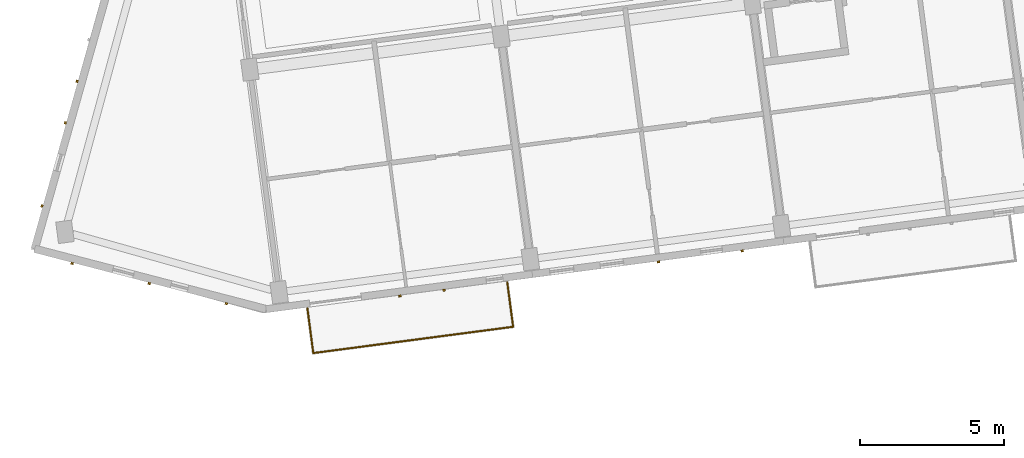
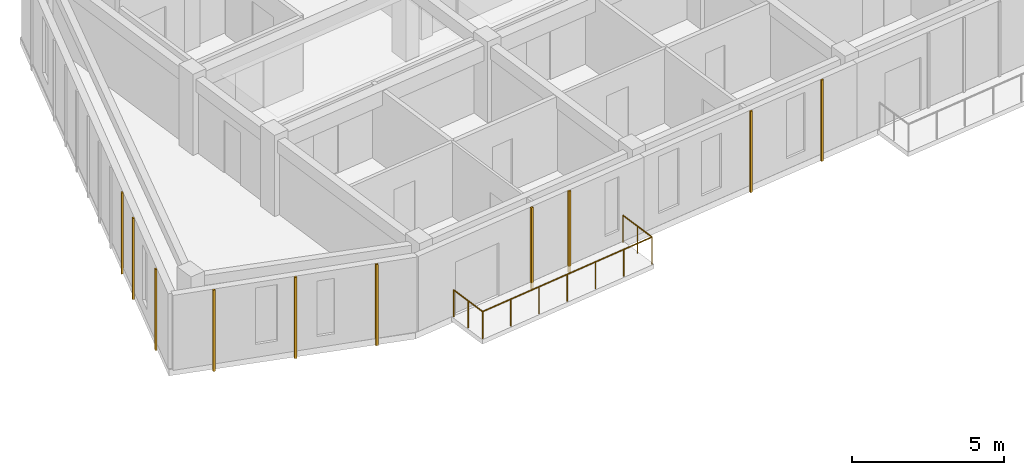
# One storey, part 104 of 127: 10 coverings, 1 railing.
"""IFC4 building model written with IfcOpenShell, lengths in metres."""

from ifc_helpers import new_model, si_unit, direction, frame, origin, origin_2d, place, context, subcontext, project, spatial, rectangle, circle, extrude, material, layer, layer_set, type_object, element, save


model = new_model("IFC4")

# Units and contexts
model_context = context("Model", 3, precision=1e-05, world=origin(), true_north=direction((0.0, 1.0)))
body_context = subcontext(model_context, "Body", "Model", "MODEL_VIEW")
ifc_project = project(units=[si_unit("LENGTHUNIT", "METRE"), si_unit("AREAUNIT", "SQUARE_METRE"), si_unit("VOLUMEUNIT", "CUBIC_METRE"), si_unit("PLANEANGLEUNIT", "RADIAN"), si_unit("MASSUNIT", "GRAM", prefix="KILO")], contexts=[model_context])

# Site, building, storey
site_placement = place(None, origin())
site = spatial("IfcSite", under=ifc_project, at=site_placement, CompositionType="ELEMENT")
building_placement = place(site_placement, origin())
building = spatial("IfcBuilding", under=site, at=building_placement, Name="Kestramere Prow Commons", CompositionType="ELEMENT")
storey_placement = place(building_placement, frame((0.0, 0.0, 8.39990234375)))
storey = spatial("IfcBuildingStorey", under=building, at=storey_placement, Name="L02", CompositionType="ELEMENT", Elevation=8.39990234375)

# Coverings
ifc_material_1 = material(Name="Weathered Zinc-Titanium Standing-Seam Cladding")
ifc_layer = layer(ifc_material_1, 0.074951171875)
ifc_layer_set = layer_set([ifc_layer], Name="Weathered Zinc-Titanium Standing-Seam Cladding")
covering_type = type_object("IfcCoveringType", Name="COV-CLAD-SEAM", PredefinedType="CLADDING", material=ifc_layer_set)
for number, where, z_axis, x_axis, name in (
    (1, (16.931396484375, 72.0712890625, -0.25), (0.0, 0.0, 1.0), (-0.991444861374, -0.13052619222, 0.0), "EW-A-L02-S-0 Standing-Seam Rib 2"),
    (2, (15.390625, 71.868408203125, -0.25), (0.0, 0.0, 1.0), (-0.991444861374, -0.13052619222, 0.0), "EW-A-L02-S-0 Standing-Seam Rib 3"),
    (3, (27.28369140625, 73.43408203125, -0.25), (0.0, 0.0, 1.0), (-0.991444861374, -0.13052619222, 0.0), "EW-A-L02-S-1 Standing-Seam Rib 1"),
    (4, (24.37548828125, 73.05126953125, -0.25), (0.0, 0.0, 1.0), (-0.991444861374, -0.13052619222, 0.0), "EW-A-L02-S-1 Standing-Seam Rib 3"),
    (5, (9.367431640625, 71.602783203125, -0.25), (0.0, 0.0, 1.0), (-0.96769817096, 0.252111582281, 0.0), "EW-A-L02-PRW-S Standing-Seam Rib 1"),
    (6, (6.6884765625, 72.300537109375, -0.25), (0.0, 0.0, 1.0), (-0.96769817096, 0.252111582281, 0.0), "EW-A-L02-PRW-S Standing-Seam Rib 3"),
    (7, (4.009521484375, 72.99853515625, -0.25), (0.0, 0.0, 1.0), (-0.96769817096, 0.252111582281, 0.0), "EW-A-L02-PRW-S Standing-Seam Rib 5"),
    (8, (2.96142578125, 74.9931640625, -0.25), (0.0, 0.0, 1.0), (0.271159911526, 0.962534312314, 0.0), "EW-A-L02-PRW-N Standing-Seam Rib 1"),
    (9, (3.775146484375, 77.8818359375, -0.25), (0.0, 0.0, 1.0), (0.271159911526, 0.962534312314, 0.0), "EW-A-L02-PRW-N Standing-Seam Rib 3"),
    (10, (4.18212890625, 79.326171875, -0.25), (0.0, 0.0, 1.0), (0.271159911526, 0.962534312314, 0.0), "EW-A-L02-PRW-N Standing-Seam Rib 4"),
):
    element("IfcCovering", number, at=place(storey_placement, frame(where, z_axis=z_axis, x_axis=x_axis)), inside=storey, type_object=covering_type, Name=name, PredefinedType="CLADDING", context=body_context, shape_type="SweptSolid", body=[
        extrude(rectangle(XDim=0.0849609375, YDim=0.06494140625, at=origin_2d()), origin(), (0.0, 0.0, 1.0), 3.25),
    ])

# Railing
ifc_material_2 = material(Name="Powder-Coated Aluminium 6063-T6", Category="aluminium")
railing_type = type_object("IfcRailingType", Name="GRD-BALC-1100", PredefinedType="BALUSTRADE", material=ifc_material_2)
railing_placement = place(storey_placement, frame((12.182373046875, 71.433349609375, 0.0)))
element("IfcRailing", 11, at=railing_placement, inside=storey, type_object=railing_type, Name="Block A L02 Balcony Guardrail 1", PredefinedType="BALUSTRADE", context=body_context, shape_type="SweptSolid", body=[
    extrude(circle(Radius=0.02392578125, at=origin_2d()), frame((0.0, 0.0, 1.076171875), z_axis=(0.130523335136, -0.991445237512, 0.0), x_axis=(0.991445237512, 0.130523335136, 0.0)), (0.0, 0.0, 1.0), 1.56005859375),
    extrude(circle(Radius=0.02392578125, at=origin_2d()), frame((0.20361328125, -1.546630859375, 1.076171875), z_axis=(0.991447052715, 0.13050954625, 0.0), x_axis=(-0.13050954625, 0.991447052715, 0.0)), (0.0, 0.0, 1.0), 7.0),
    extrude(circle(Radius=0.02392578125, at=origin_2d()), frame((7.143798828125, -0.633056640625, 1.076171875), z_axis=(-0.130503085734, 0.991447903127, 0.0), x_axis=(-0.991447903127, -0.130503085734, 0.0)), (0.0, 0.0, 1.0), 1.560302734375),
    extrude(circle(Radius=0.02099609375, at=origin_2d()), origin(), (0.0, 0.0, 1.0), 1.052001953125),
    extrude(circle(Radius=0.02099609375, at=origin_2d()), frame((0.101806640625, -0.7734375, 0.0)), (0.0, 0.0, 1.0), 1.052001953125),
    extrude(circle(Radius=0.02099609375, at=origin_2d()), frame((0.20361328125, -1.546630859375, 0.0)), (0.0, 0.0, 1.0), 1.052001953125),
    extrude(circle(Radius=0.02099609375, at=origin_2d()), frame((1.3603515625, -1.394287109375, 0.0)), (0.0, 0.0, 1.0), 1.052001953125),
    extrude(circle(Radius=0.02099609375, at=origin_2d()), frame((2.51708984375, -1.2421875, 0.0)), (0.0, 0.0, 1.0), 1.052001953125),
    extrude(circle(Radius=0.02099609375, at=origin_2d()), frame((3.673828125, -1.08984375, 0.0)), (0.0, 0.0, 1.0), 1.052001953125),
    extrude(circle(Radius=0.02099609375, at=origin_2d()), frame((4.830322265625, -0.9375, 0.0)), (0.0, 0.0, 1.0), 1.052001953125),
    extrude(circle(Radius=0.02099609375, at=origin_2d()), frame((5.987060546875, -0.785400390625, 0.0)), (0.0, 0.0, 1.0), 1.052001953125),
    extrude(circle(Radius=0.02099609375, at=origin_2d()), frame((7.143798828125, -0.633056640625, 0.0)), (0.0, 0.0, 1.0), 1.052001953125),
    extrude(circle(Radius=0.02099609375, at=origin_2d()), frame((7.0419921875, 0.140380859375, 0.0)), (0.0, 0.0, 1.0), 1.052001953125),
    extrude(circle(Radius=0.02099609375, at=origin_2d()), frame((6.940185546875, 0.913818359375, 0.0)), (0.0, 0.0, 1.0), 1.052001953125),
])

save(model, "model.ifc")
